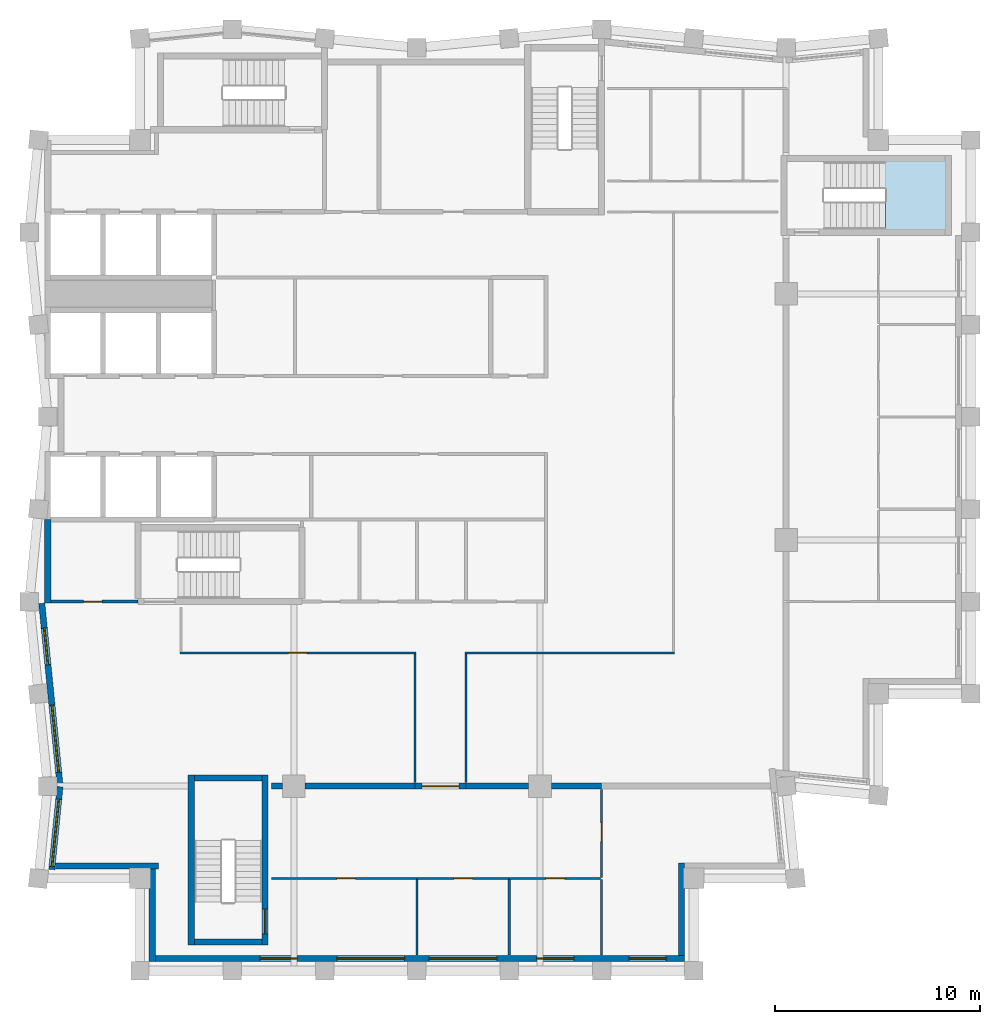
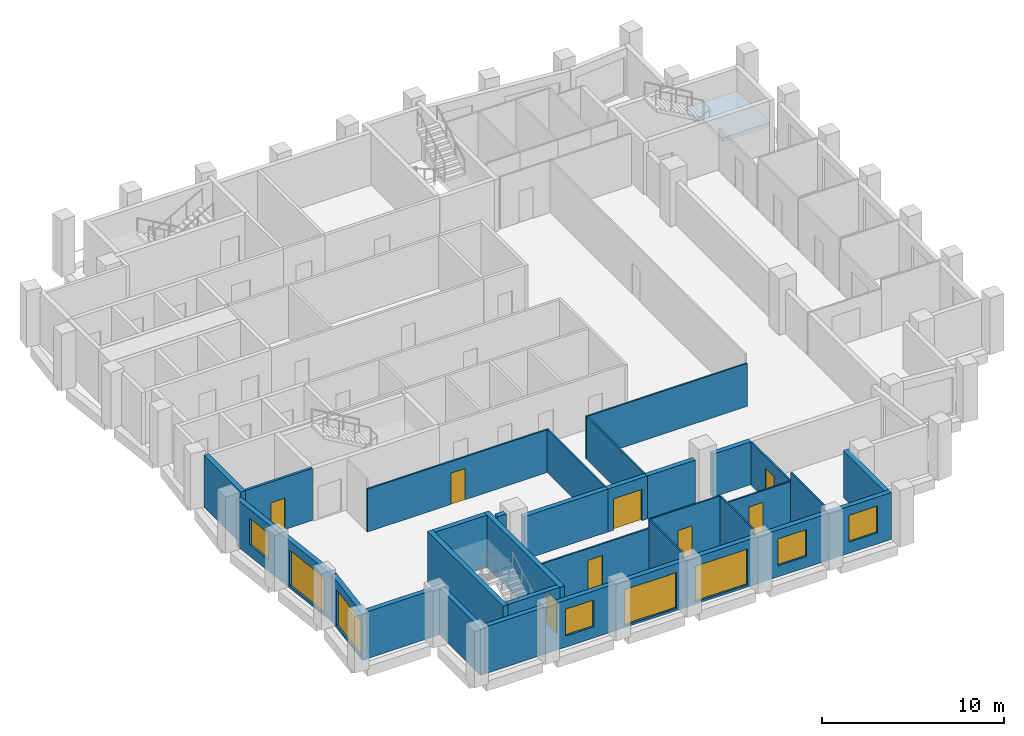
# One storey, part 2 of 7: 28 walls, 8 doors, 8 windows, 1 slab, 16 openings, 1 element without a shape of its own.
"""IFC4 building model written with IfcOpenShell, lengths in metres."""

from ifc_helpers import new_model, si_unit, direction, frame, frame_2d, origin, place, context, subcontext, project, spatial, polyline, rectangle, outline, extrude, material, layer, layer_set, type_object, element, fill, aggregate, save


model = new_model("IFC4")

# Units and contexts
model_context = context("Model", 3, precision=1e-05, world=origin(), true_north=direction((0.0, 1.0)))
body_context = subcontext(model_context, "Body", "Model", "MODEL_VIEW")
ifc_project = project(units=[si_unit("LENGTHUNIT", "METRE"), si_unit("AREAUNIT", "SQUARE_METRE"), si_unit("VOLUMEUNIT", "CUBIC_METRE"), si_unit("PLANEANGLEUNIT", "RADIAN"), si_unit("MASSUNIT", "GRAM", prefix="KILO")], contexts=[model_context])

# Site, building, storey
site_placement = place(None, origin())
site = spatial("IfcSite", under=ifc_project, at=site_placement, CompositionType="ELEMENT")
building_placement = place(site_placement, origin())
building = spatial("IfcBuilding", under=site, at=building_placement, Name="Brondeck Convention Tower", CompositionType="ELEMENT")
storey_placement = place(building_placement, frame((0.0, 0.0, 256.199951171875)))
storey = spatial("IfcBuildingStorey", under=building, at=storey_placement, Name="L63", CompositionType="ELEMENT", Elevation=256.199951171875)

# Stair, slab
ifc_material_1 = material(Name="Precast concrete C50/60", Category="concrete")
stair_type = type_object("IfcStairType", Name="Core stair 22 risers 172.73 mm riser 300 mm going 1350 wide", PredefinedType="HALF_TURN_STAIR", material=ifc_material_1)
stair_placement = place(storey_placement, origin())
stair = element("IfcStair", 1, at=stair_placement, inside=storey, type_object=stair_type, Name="ST-AE L63 stair", PredefinedType="HALF_TURN_STAIR")
ifc_layer_1 = layer(ifc_material_1, 0.25)
ifc_layer_set_1 = layer_set([ifc_layer_1], Name="Core stair landing 250 Precast concrete C50/60")
slab_type = type_object("IfcSlabType", Name="Core stair landing 250 Precast concrete C50/60", PredefinedType="LANDING", material=ifc_layer_set_1)
slab_placement = place(storey_placement, frame((0.0, 0.0, 1.650146484375)))
slab = element("IfcSlab", 2, at=slab_placement, type_object=slab_type, Name="ST-AE landing 1", PredefinedType="LANDING", context=body_context, shape_type="SweptSolid", body=[
    extrude(outline(polyline([(40.847900390625, 55.5), (40.85009765625, 55.5), (40.85009765625, 56.10009765625), (40.550048828125, 56.10009765625), (40.550048828125, 57.570068359375), (43.8701171875, 57.570068359375), (43.8701171875, 54.030029296875), (40.847900390625, 54.030029296875), (40.847900390625, 55.5)])), origin(), (0.0, 0.0, 1.0), 0.25),
])
aggregate(stair, [slab])

# Walls
ifc_material_2 = material(Name="Concrete compartment wall C30/37", Category="concrete")
ifc_layer_2 = layer(ifc_material_2, 0.300048828125)
ifc_layer_set_2 = layer_set([ifc_layer_2], Name="Compartment wall 300")
wall_type_1 = type_object("IfcWallType", Name="Compartment wall 300", PredefinedType="PARTITIONING", material=ifc_layer_set_2)
wall_1_placement = place(storey_placement, frame((10.89990234375, 27.0, 0.0), z_axis=(0.0, 0.0, 1.0), x_axis=(1.0, 0.0, 0.0)))
element("IfcWall", 3, at=wall_1_placement, inside=storey, type_object=wall_type_1, Name="FLR-L63-W013", PredefinedType="PARTITIONING", context=body_context, shape_type="SweptSolid", body=[
    extrude(rectangle(XDim=0.545166015625, YDim=0.300048828125, at=frame_2d((0.2724609375, 0.0))), origin(), (0.0, 0.0, 1.0), 3.47998046875),
])
wall_2_placement = place(storey_placement, frame((12.554931640625, 27.0, 0.0), z_axis=(0.0, 0.0, 1.0), x_axis=(1.0, 0.0, 0.0)))
element("IfcWall", 4, at=wall_2_placement, inside=storey, type_object=wall_type_1, Name="FLR-L63-W014", PredefinedType="PARTITIONING", context=body_context, shape_type="SweptSolid", body=[
    extrude(rectangle(XDim=5.344970703125, YDim=0.300048828125, at=frame_2d((2.67236328125, 0.0))), origin(), (0.0, 0.0, 1.0), 2.880126953125),
])

# Wall, opening, door
wall_3_placement = place(storey_placement, frame((20.39990234375, 27.0, 0.0), z_axis=(0.0, 0.0, 1.0), x_axis=(-1.0, 0.0, 0.0)))
wall_3 = element("IfcWall", 5, at=wall_3_placement, inside=storey, type_object=wall_type_1, Name="FLR-L63-W015", PredefinedType="PARTITIONING", context=body_context, shape_type="SweptSolid", body=[
    extrude(rectangle(XDim=2.5, YDim=0.300048828125, at=frame_2d((1.25, 0.0))), origin(), (0.0, 0.0, 1.0), 2.880126953125),
])
opening_1_placement = place(wall_3_placement, frame((0.35009765625, 0.0, 0.0)))
opening_1 = element("IfcOpeningElement", 6, at=opening_1_placement, cuts=wall_3, Name="Opening EX-A2-017", PredefinedType="OPENING", context=body_context, shape_type="SweptSolid", body=[
    extrude(rectangle(XDim=1.800048828125, YDim=2.10009765625, at=frame_2d((0.89990234375, 1.050048828125))), frame((0.0, 0.159912109375, 0.0), z_axis=(0.0, -1.0, 0.0), x_axis=(1.0, 0.0, 0.0)), (0.0, 0.0, 1.0), 0.320068359375),
])
ifc_material_3 = material(Name="Steel fire door pair", Category="steel")
door_type_1 = type_object("IfcDoorType", Name="Fire door pair 1800", OperationType="DOUBLE_DOOR_SINGLE_SWING", PredefinedType="DOOR", material=ifc_material_3)
door_1_placement = place(opening_1_placement, origin())
door_1 = element("IfcDoor", 7, at=door_1_placement, inside=storey, type_object=door_type_1, Name="Door EX-A2-017", OperationType="DOUBLE_DOOR_SINGLE_SWING", OverallHeight=2.10009765625, OverallWidth=1.800048828125, PredefinedType="DOOR", context=body_context, shape_type="SweptSolid", body=[
    extrude(rectangle(XDim=1.800048828125, YDim=2.10009765625, at=frame_2d((0.89990234375, 1.050048828125))), frame((0.0, 0.02490234375, 0.0), z_axis=(0.0, -1.0, 0.0), x_axis=(1.0, 0.0, 0.0)), (0.0, 0.0, 1.0), 0.050048828125),
])
fill(opening_1, door_1)

# Walls
wall_4_placement = place(storey_placement, frame((20.39990234375, 27.0, 0.0), z_axis=(0.0, 0.0, 1.0), x_axis=(1.0, 0.0, 0.0)))
element("IfcWall", 8, at=wall_4_placement, inside=storey, type_object=wall_type_1, Name="FLR-L63-W016", PredefinedType="PARTITIONING", context=body_context, shape_type="SweptSolid", body=[
    extrude(rectangle(XDim=3.045166015625, YDim=0.300048828125, at=frame_2d((1.5224609375, 0.0))), origin(), (0.0, 0.0, 1.0), 2.880126953125),
])
wall_5_placement = place(storey_placement, frame((24.554931640625, 27.0, 0.0), z_axis=(0.0, 0.0, 1.0), x_axis=(1.0, 0.0, 0.0)))
element("IfcWall", 9, at=wall_5_placement, inside=storey, type_object=wall_type_1, Name="FLR-L63-W017", PredefinedType="PARTITIONING", context=body_context, shape_type="SweptSolid", body=[
    extrude(rectangle(XDim=2.445068359375, YDim=0.300048828125, at=frame_2d((1.22265625, 0.0))), origin(), (0.0, 0.0, 1.0), 2.880126953125),
])
ifc_material_4 = material(Name="Concrete C50/60", Category="concrete")
ifc_layer_3 = layer(ifc_material_4, 0.300048828125)
ifc_layer_set_3 = layer_set([ifc_layer_3], Name="Core outer wall 300 Concrete C50/60")
wall_type_2 = type_object("IfcWallType", Name="Core outer wall 300 Concrete C50/60", PredefinedType="SHEAR", material=ifc_layer_set_3)
wall_6_placement = place(storey_placement, frame((0.0, 35.925048828125, 0.0), z_axis=(0.0, 0.0, 1.0), x_axis=(0.0, 1.0, 0.0)))
element("IfcWall", 10, at=wall_6_placement, inside=storey, type_object=wall_type_2, Name="L63 core wall", PredefinedType="SHEAR", context=body_context, shape_type="SweptSolid", body=[
    extrude(rectangle(XDim=4.074951171875, YDim=0.300048828125, at=frame_2d((2.03759765625, 0.0))), origin(), (0.0, 0.0, 1.0), 3.5),
])

# Wall, opening, door
ifc_material_5 = material(Name="Fire-rated gypsum board partition")
ifc_layer_4 = layer(ifc_material_5, 0.14990234375)
ifc_layer_set_4 = layer_set([ifc_layer_4], Name="Core partition 150 EI 60")
wall_type_3 = type_object("IfcWallType", Name="Core partition 150 EI 60", PredefinedType="PARTITIONING", material=ifc_layer_set_4)
wall_7_placement = place(storey_placement, frame((0.14990234375, 36.0, 0.0), z_axis=(0.0, 0.0, 1.0), x_axis=(1.0, 0.0, 0.0)))
wall_7 = element("IfcWall", 11, at=wall_7_placement, inside=storey, type_object=wall_type_3, Name="L63 core wall", PredefinedType="PARTITIONING", context=body_context, shape_type="SweptSolid", body=[
    extrude(rectangle(XDim=4.25, YDim=0.14990234375, at=frame_2d((2.125, 0.0))), origin(), (0.0, 0.0, 1.0), 3.5),
])
opening_2_placement = place(wall_7_placement, frame((1.60009765625, 0.0, 0.0)))
opening_2 = element("IfcOpeningElement", 12, at=opening_2_placement, cuts=wall_7, Name="Opening C35-07", PredefinedType="OPENING", context=body_context, shape_type="SweptSolid", body=[
    extrude(rectangle(XDim=0.89990234375, YDim=2.10009765625, at=frame_2d((0.449951171875, 1.050048828125))), frame((0.0, 0.0849609375, 0.0), z_axis=(0.0, -1.0, 0.0), x_axis=(1.0, 0.0, 0.0)), (0.0, 0.0, 1.0), 0.169921875),
])
ifc_material_6 = material(Name="Steel fire door", Category="steel")
door_type_2 = type_object("IfcDoorType", Name="Room door 900x2100 EI 60", OperationType="NOTDEFINED", PredefinedType="DOOR", material=ifc_material_6)
door_2_placement = place(opening_2_placement, origin())
door_2 = element("IfcDoor", 13, at=door_2_placement, inside=storey, type_object=door_type_2, Name="L63 Room door FRW-1", OperationType="SINGLE_SWING_LEFT", OverallHeight=2.10009765625, OverallWidth=0.89990234375, PredefinedType="DOOR", context=body_context, shape_type="SweptSolid", body=[
    extrude(rectangle(XDim=0.89990234375, YDim=2.10009765625, at=frame_2d((0.449951171875, 1.050048828125))), frame((0.0, 0.02490234375, 0.0), z_axis=(0.0, -1.0, 0.0), x_axis=(1.0, 0.0, 0.0)), (0.0, 0.0, 1.0), 0.050048828125),
])
fill(opening_2, door_2)

# Wall, openings, windows
ifc_material_7 = material(Name="Precast concrete C50/60 bronze finish", Category="concrete")
ifc_layer_5 = layer(ifc_material_7, 0.070068359375, Name="Bronze precast facing")
ifc_material_8 = material(Name="Mineral wool")
ifc_layer_6 = layer(ifc_material_8, 0.159912109375, Name="Insulation")
ifc_material_9 = material(Name="Concrete C35/45", Category="concrete")
ifc_layer_7 = layer(ifc_material_9, 0.070068359375, Name="Backing")
ifc_layer_set_5 = layer_set([ifc_layer_5, ifc_layer_6, ifc_layer_7], Name="External infill wall, precast concrete C50/60 bronze facing")
wall_type_4 = type_object("IfcWallType", Name="External infill wall, precast concrete C50/60 bronze facing", PredefinedType="SOLIDWALL", material=ifc_layer_set_5)
wall_8_placement = place(storey_placement, frame((31.050048828125, 18.60009765625, 0.0), z_axis=(0.0, 0.0, 1.0), x_axis=(-1.0, 0.0, 0.0)))
wall_8 = element("IfcWall", 14, at=wall_8_placement, inside=storey, type_object=wall_type_4, Name="ENV-EW-L63-P3-B-S18-01", PredefinedType="SOLIDWALL", context=body_context, shape_type="SweptSolid", body=[
    extrude(rectangle(XDim=25.800048828125, YDim=0.300048828125, at=frame_2d((12.89990234375, 0.0))), origin(), (0.0, 0.0, 1.0), 3.150146484375),
])
opening_3_placement = place(wall_8_placement, frame((0.89990234375, 0.0, 0.75)))
opening_3 = element("IfcOpeningElement", 15, at=opening_3_placement, cuts=wall_8, Name="Opening W10", PredefinedType="OPENING", context=body_context, shape_type="SweptSolid", body=[
    extrude(rectangle(XDim=1.800048828125, YDim=1.800048828125, at=frame_2d((0.89990234375, 0.89990234375))), frame((0.0, 0.159912109375, 0.0), z_axis=(0.0, -1.0, 0.0), x_axis=(1.0, 0.0, 0.0)), (0.0, 0.0, 1.0), 0.320068359375),
])
opening_4_placement = place(wall_8_placement, frame((5.39990234375, 0.0, 0.75)))
opening_4 = element("IfcOpeningElement", 16, at=opening_4_placement, cuts=wall_8, Name="Opening W10", PredefinedType="OPENING", context=body_context, shape_type="SweptSolid", body=[
    extrude(rectangle(XDim=1.800048828125, YDim=1.800048828125, at=frame_2d((0.89990234375, 0.89990234375))), frame((0.0, 0.159912109375, 0.0), z_axis=(0.0, -1.0, 0.0), x_axis=(1.0, 0.0, 0.0)), (0.0, 0.0, 1.0), 0.320068359375),
])
opening_5_placement = place(wall_8_placement, frame((9.14990234375, 0.0, 0.14990234375)))
opening_5 = element("IfcOpeningElement", 17, at=opening_5_placement, cuts=wall_8, Name="Opening W9", PredefinedType="OPENING", context=body_context, shape_type="SweptSolid", body=[
    extrude(rectangle(XDim=3.300048828125, YDim=2.39990234375, at=frame_2d((1.64990234375, 1.199951171875))), frame((0.0, 0.159912109375, 0.0), z_axis=(0.0, -1.0, 0.0), x_axis=(1.0, 0.0, 0.0)), (0.0, 0.0, 1.0), 0.320068359375),
])
opening_6_placement = place(wall_8_placement, frame((13.64990234375, 0.0, 0.14990234375)))
opening_6 = element("IfcOpeningElement", 18, at=opening_6_placement, cuts=wall_8, Name="Opening W9", PredefinedType="OPENING", context=body_context, shape_type="SweptSolid", body=[
    extrude(rectangle(XDim=3.300048828125, YDim=2.39990234375, at=frame_2d((1.64990234375, 1.199951171875))), frame((0.0, 0.159912109375, 0.0), z_axis=(0.0, -1.0, 0.0), x_axis=(1.0, 0.0, 0.0)), (0.0, 0.0, 1.0), 0.320068359375),
])
opening_7_placement = place(wall_8_placement, frame((18.89990234375, 0.0, 0.75)))
opening_7 = element("IfcOpeningElement", 19, at=opening_7_placement, cuts=wall_8, Name="Opening W10", PredefinedType="OPENING", context=body_context, shape_type="SweptSolid", body=[
    extrude(rectangle(XDim=1.800048828125, YDim=1.800048828125, at=frame_2d((0.89990234375, 0.89990234375))), frame((0.0, 0.159912109375, 0.0), z_axis=(0.0, -1.0, 0.0), x_axis=(1.0, 0.0, 0.0)), (0.0, 0.0, 1.0), 0.320068359375),
])
ifc_material_10 = material(Name="Bronze tinted double glazing", Category="glass")
window_type_1 = type_object("IfcWindowType", Name="Glazed flute window, bronze tinted", PartitioningType="SINGLE_PANEL", PredefinedType="WINDOW", material=ifc_material_10)
window_1_placement = place(opening_5_placement, origin())
window_1 = element("IfcWindow", 20, at=window_1_placement, inside=storey, type_object=window_type_1, Name="ENV-WN-L63-P3-B-S18-04", OverallHeight=2.39990234375, OverallWidth=3.300048828125, PartitioningType="SINGLE_PANEL", PredefinedType="WINDOW", context=body_context, shape_type="SweptSolid", body=[
    extrude(rectangle(XDim=3.300048828125, YDim=2.39990234375, at=frame_2d((1.64990234375, 1.199951171875))), frame((0.0, 0.030029296875, 0.0), z_axis=(0.0, -1.0, 0.0), x_axis=(1.0, 0.0, 0.0)), (0.0, 0.0, 1.0), 0.06005859375),
])
fill(opening_5, window_1)
window_2_placement = place(opening_6_placement, origin())
window_2 = element("IfcWindow", 21, at=window_2_placement, inside=storey, type_object=window_type_1, Name="ENV-WN-L63-P3-B-S18-03", OverallHeight=2.39990234375, OverallWidth=3.300048828125, PartitioningType="SINGLE_PANEL", PredefinedType="WINDOW", context=body_context, shape_type="SweptSolid", body=[
    extrude(rectangle(XDim=3.300048828125, YDim=2.39990234375, at=frame_2d((1.64990234375, 1.199951171875))), frame((0.0, 0.030029296875, 0.0), z_axis=(0.0, -1.0, 0.0), x_axis=(1.0, 0.0, 0.0)), (0.0, 0.0, 1.0), 0.06005859375),
])
fill(opening_6, window_2)
window_type_2 = type_object("IfcWindowType", Name="Punched window, bronze tinted", PartitioningType="SINGLE_PANEL", PredefinedType="WINDOW", material=ifc_material_10)
window_3_placement = place(opening_3_placement, origin())
window_3 = element("IfcWindow", 22, at=window_3_placement, inside=storey, type_object=window_type_2, Name="ENV-WN-L63-P3-B-S18-06", OverallHeight=1.800048828125, OverallWidth=1.800048828125, PartitioningType="SINGLE_PANEL", PredefinedType="WINDOW", context=body_context, shape_type="SweptSolid", body=[
    extrude(rectangle(XDim=1.800048828125, YDim=1.800048828125, at=frame_2d((0.89990234375, 0.89990234375))), frame((0.0, 0.030029296875, 0.0), z_axis=(0.0, -1.0, 0.0), x_axis=(1.0, 0.0, 0.0)), (0.0, 0.0, 1.0), 0.06005859375),
])
fill(opening_3, window_3)
window_4_placement = place(opening_4_placement, origin())
window_4 = element("IfcWindow", 23, at=window_4_placement, inside=storey, type_object=window_type_2, Name="ENV-WN-L63-P3-B-S18-05", OverallHeight=1.800048828125, OverallWidth=1.800048828125, PartitioningType="SINGLE_PANEL", PredefinedType="WINDOW", context=body_context, shape_type="SweptSolid", body=[
    extrude(rectangle(XDim=1.800048828125, YDim=1.800048828125, at=frame_2d((0.89990234375, 0.89990234375))), frame((0.0, 0.030029296875, 0.0), z_axis=(0.0, -1.0, 0.0), x_axis=(1.0, 0.0, 0.0)), (0.0, 0.0, 1.0), 0.06005859375),
])
fill(opening_4, window_4)
window_5_placement = place(opening_7_placement, origin())
window_5 = element("IfcWindow", 24, at=window_5_placement, inside=storey, type_object=window_type_2, Name="ENV-WN-L63-P3-B-S18-02", OverallHeight=1.800048828125, OverallWidth=1.800048828125, PartitioningType="SINGLE_PANEL", PredefinedType="WINDOW", context=body_context, shape_type="SweptSolid", body=[
    extrude(rectangle(XDim=1.800048828125, YDim=1.800048828125, at=frame_2d((0.89990234375, 0.89990234375))), frame((0.0, 0.030029296875, 0.0), z_axis=(0.0, -1.0, 0.0), x_axis=(1.0, 0.0, 0.0)), (0.0, 0.0, 1.0), 0.06005859375),
])
fill(opening_7, window_5)

# Wall
wall_9_placement = place(storey_placement, frame((30.89990234375, 23.25, 0.0), z_axis=(0.0, 0.0, 1.0), x_axis=(0.0, -1.0, 0.0)))
element("IfcWall", 25, at=wall_9_placement, inside=storey, type_object=wall_type_4, Name="ENV-EW-L63-P3-NC-SEB18-01", PredefinedType="SOLIDWALL", context=body_context, shape_type="SweptSolid", body=[
    extrude(rectangle(XDim=4.5, YDim=0.300048828125, at=frame_2d((2.25, 0.0))), origin(), (0.0, 0.0, 1.0), 3.150146484375),
])

# Wall, openings, windows
wall_10_placement = place(storey_placement, frame((0.6044921875, 26.985107421875, 0.0), z_axis=(0.0, 0.0, 1.0), x_axis=(-0.099509108728, 0.995036651225, 0.0)))
wall_10 = element("IfcWall", 26, at=wall_10_placement, inside=storey, type_object=wall_type_4, Name="ENV-EW-L63-P3-B-W-06", PredefinedType="SOLIDWALL", context=body_context, shape_type="SweptSolid", body=[
    extrude(rectangle(XDim=8.9697265625, YDim=0.300048828125, at=frame_2d((4.48486328125, 0.0))), origin(), (0.0, 0.0, 1.0), 3.150146484375),
])
opening_8_placement = place(wall_10_placement, frame((0.686279296875, 0.0, 0.14990234375)))
opening_8 = element("IfcOpeningElement", 27, at=opening_8_placement, cuts=wall_10, Name="Opening W9", PredefinedType="OPENING", context=body_context, shape_type="SweptSolid", body=[
    extrude(rectangle(XDim=3.300048828125, YDim=2.39990234375, at=frame_2d((1.64990234375, 1.199951171875))), frame((0.0, 0.159912109375, 0.0), z_axis=(0.0, -1.0, 0.0), x_axis=(1.0, 0.0, 0.0)), (0.0, 0.0, 1.0), 0.320068359375),
])
opening_9_placement = place(wall_10_placement, frame((5.95849609375, 0.0, 0.75)))
opening_9 = element("IfcOpeningElement", 28, at=opening_9_placement, cuts=wall_10, Name="Opening W10", PredefinedType="OPENING", context=body_context, shape_type="SweptSolid", body=[
    extrude(rectangle(XDim=1.800048828125, YDim=1.800048828125, at=frame_2d((0.89990234375, 0.89990234375))), frame((0.0, 0.159912109375, 0.0), z_axis=(0.0, -1.0, 0.0), x_axis=(1.0, 0.0, 0.0)), (0.0, 0.0, 1.0), 0.320068359375),
])
window_6_placement = place(opening_8_placement, origin())
window_6 = element("IfcWindow", 29, at=window_6_placement, inside=storey, type_object=window_type_1, Name="ENV-WN-L63-P3-B-W-07", OverallHeight=2.39990234375, OverallWidth=3.300048828125, PartitioningType="SINGLE_PANEL", PredefinedType="WINDOW", context=body_context, shape_type="SweptSolid", body=[
    extrude(rectangle(XDim=3.300048828125, YDim=2.39990234375, at=frame_2d((1.64990234375, 1.199951171875))), frame((0.0, 0.030029296875, 0.0), z_axis=(0.0, -1.0, 0.0), x_axis=(1.0, 0.0, 0.0)), (0.0, 0.0, 1.0), 0.06005859375),
])
fill(opening_8, window_6)
window_7_placement = place(opening_9_placement, origin())
window_7 = element("IfcWindow", 30, at=window_7_placement, inside=storey, type_object=window_type_2, Name="ENV-WN-L63-P3-B-W-06", OverallHeight=1.800048828125, OverallWidth=1.800048828125, PartitioningType="SINGLE_PANEL", PredefinedType="WINDOW", context=body_context, shape_type="SweptSolid", body=[
    extrude(rectangle(XDim=1.800048828125, YDim=1.800048828125, at=frame_2d((0.89990234375, 0.89990234375))), frame((0.0, 0.030029296875, 0.0), z_axis=(0.0, -1.0, 0.0), x_axis=(1.0, 0.0, 0.0)), (0.0, 0.0, 1.0), 0.06005859375),
])
fill(opening_9, window_7)

# Wall, opening, window
wall_11_placement = place(storey_placement, frame((0.196533203125, 22.93505859375, 0.0), z_axis=(0.0, 0.0, 1.0), x_axis=(0.09951564041, 0.995035997999, 0.0)))
wall_11 = element("IfcWall", 31, at=wall_11_placement, inside=storey, type_object=wall_type_4, Name="ENV-EW-L63-P3-B-W-08", PredefinedType="SOLIDWALL", context=body_context, shape_type="SweptSolid", body=[
    extrude(rectangle(XDim=4.05517578125, YDim=0.300048828125, at=frame_2d((2.027587890625, 0.0))), origin(), (0.0, 0.0, 1.0), 3.150146484375),
])
opening_10_placement = place(wall_11_placement, frame((0.14990234375, 0.0, 0.14990234375)))
opening_10 = element("IfcOpeningElement", 32, at=opening_10_placement, cuts=wall_11, Name="Opening W9", PredefinedType="OPENING", context=body_context, shape_type="SweptSolid", body=[
    extrude(rectangle(XDim=3.300048828125, YDim=2.39990234375, at=frame_2d((1.64990234375, 1.199951171875))), frame((0.0, 0.159912109375, 0.0), z_axis=(0.0, -1.0, 0.0), x_axis=(1.0, 0.0, 0.0)), (0.0, 0.0, 1.0), 0.320068359375),
])
window_8_placement = place(opening_10_placement, origin())
window_8 = element("IfcWindow", 33, at=window_8_placement, inside=storey, type_object=window_type_1, Name="ENV-WN-L63-P3-B-W-08", OverallHeight=2.39990234375, OverallWidth=3.300048828125, PartitioningType="SINGLE_PANEL", PredefinedType="WINDOW", context=body_context, shape_type="SweptSolid", body=[
    extrude(rectangle(XDim=3.300048828125, YDim=2.39990234375, at=frame_2d((1.64990234375, 1.199951171875))), frame((0.0, 0.030029296875, 0.0), z_axis=(0.0, -1.0, 0.0), x_axis=(1.0, 0.0, 0.0)), (0.0, 0.0, 1.0), 0.06005859375),
])
fill(opening_10, window_8)

# Walls
wall_12_placement = place(storey_placement, frame((5.39990234375, 23.10009765625, 0.0), z_axis=(0.0, 0.0, 1.0), x_axis=(-1.0, 0.0, 0.0)))
element("IfcWall", 34, at=wall_12_placement, inside=storey, type_object=wall_type_4, Name="ENV-EW-L63-P3-NC-SWB18-01", PredefinedType="SOLIDWALL", context=body_context, shape_type="SweptSolid", body=[
    extrude(rectangle(XDim=5.031005859375, YDim=0.300048828125, at=frame_2d((2.515625, 0.0))), origin(), (0.0, 0.0, 1.0), 3.150146484375),
])
wall_13_placement = place(storey_placement, frame((5.10009765625, 18.449951171875, 0.0), z_axis=(0.0, 0.0, 1.0), x_axis=(0.0, 1.0, 0.0)))
element("IfcWall", 35, at=wall_13_placement, inside=storey, type_object=wall_type_4, Name="ENV-EW-L63-P3-NC-SWB18-02", PredefinedType="SOLIDWALL", context=body_context, shape_type="SweptSolid", body=[
    extrude(rectangle(XDim=4.5, YDim=0.300048828125, at=frame_2d((2.25, 0.0))), origin(), (0.0, 0.0, 1.0), 3.150146484375),
])
ifc_material_11 = material(Name="Gypsum board partition on steel studs", Category="steel")
ifc_layer_8 = layer(ifc_material_11, 0.10009765625)
ifc_layer_set_6 = layer_set([ifc_layer_8], Name="Room partition 100")
wall_type_5 = type_object("IfcWallType", Name="Room partition 100", PredefinedType="PARTITIONING", material=ifc_layer_set_6)
for number, where, z_axis, x_axis, name in (
    (36, (18.0, 18.77001953125, 0.0), (0.0, 0.0, 1.0), (0.0, 1.0, 0.0), "FLR-L63-W001"),
    (37, (22.5, 18.77001953125, 0.0), (0.0, 0.0, 1.0), (0.0, 1.0, 0.0), "FLR-L63-W002"),
    (38, (27.0, 22.449951171875, 0.0), (0.0, 0.0, 1.0), (0.0, -1.0, 0.0), "FLR-L63-W005"),
):
    element("IfcWall", number, at=place(storey_placement, frame(where, z_axis=z_axis, x_axis=x_axis)), inside=storey, type_object=wall_type_5, Name=name, PredefinedType="PARTITIONING", context=body_context, shape_type="SweptSolid", body=[
        extrude(rectangle(XDim=3.679931640625, YDim=0.10009765625, at=frame_2d((1.83984375, 0.0))), origin(), (0.0, 0.0, 1.0), 3.47998046875),
    ])

# Wall, opening, door
wall_14_placement = place(storey_placement, frame((18.0, 22.5, 0.0), z_axis=(0.0, 0.0, 1.0), x_axis=(-1.0, 0.0, 0.0)))
wall_14 = element("IfcWall", 39, at=wall_14_placement, inside=storey, type_object=wall_type_5, Name="FLR-L63-W006", PredefinedType="PARTITIONING", context=body_context, shape_type="SweptSolid", body=[
    extrude(rectangle(XDim=7.10009765625, YDim=0.10009765625, at=frame_2d((3.550048828125, 0.0))), origin(), (0.0, 0.0, 1.0), 2.880126953125),
])
opening_11_placement = place(wall_14_placement, frame((3.0, 0.0, 0.0)))
opening_11 = element("IfcOpeningElement", 40, at=opening_11_placement, cuts=wall_14, Name="Opening EX-A2-008", PredefinedType="OPENING", context=body_context, shape_type="SweptSolid", body=[
    extrude(rectangle(XDim=0.89990234375, YDim=2.10009765625, at=frame_2d((0.449951171875, 1.050048828125))), frame((0.0, 0.06005859375, 0.0), z_axis=(0.0, -1.0, 0.0), x_axis=(1.0, 0.0, 0.0)), (0.0, 0.0, 1.0), 0.1201171875),
])
ifc_material_12 = material(Name="Solid timber door leaf", Category="wood")
door_type_3 = type_object("IfcDoorType", Name="Single door 900", OperationType="NOTDEFINED", PredefinedType="DOOR", material=ifc_material_12)
door_3_placement = place(opening_11_placement, origin())
door_3 = element("IfcDoor", 41, at=door_3_placement, inside=storey, type_object=door_type_3, Name="Door EX-A2-008", OperationType="SINGLE_SWING_LEFT", OverallHeight=2.10009765625, OverallWidth=0.89990234375, PredefinedType="DOOR", context=body_context, shape_type="SweptSolid", body=[
    extrude(rectangle(XDim=0.89990234375, YDim=2.10009765625, at=frame_2d((0.449951171875, 1.050048828125))), frame((0.0, 0.02490234375, 0.0), z_axis=(0.0, -1.0, 0.0), x_axis=(1.0, 0.0, 0.0)), (0.0, 0.0, 1.0), 0.050048828125),
])
fill(opening_11, door_3)

wall_15_placement = place(storey_placement, frame((22.5, 22.5, 0.0), z_axis=(0.0, 0.0, 1.0), x_axis=(-1.0, 0.0, 0.0)))
wall_15 = element("IfcWall", 42, at=wall_15_placement, inside=storey, type_object=wall_type_5, Name="FLR-L63-W007", PredefinedType="PARTITIONING", context=body_context, shape_type="SweptSolid", body=[
    extrude(rectangle(XDim=4.5, YDim=0.10009765625, at=frame_2d((2.25, 0.0))), origin(), (0.0, 0.0, 1.0), 3.47998046875),
])
opening_12_placement = place(wall_15_placement, frame((1.800048828125, 0.0, 0.0)))
opening_12 = element("IfcOpeningElement", 43, at=opening_12_placement, cuts=wall_15, Name="Opening EX-A2-007", PredefinedType="OPENING", context=body_context, shape_type="SweptSolid", body=[
    extrude(rectangle(XDim=0.89990234375, YDim=2.10009765625, at=frame_2d((0.449951171875, 1.050048828125))), frame((0.0, 0.06005859375, 0.0), z_axis=(0.0, -1.0, 0.0), x_axis=(1.0, 0.0, 0.0)), (0.0, 0.0, 1.0), 0.1201171875),
])
door_4_placement = place(opening_12_placement, origin())
door_4 = element("IfcDoor", 44, at=door_4_placement, inside=storey, type_object=door_type_3, Name="Door EX-A2-007", OperationType="SINGLE_SWING_LEFT", OverallHeight=2.10009765625, OverallWidth=0.89990234375, PredefinedType="DOOR", context=body_context, shape_type="SweptSolid", body=[
    extrude(rectangle(XDim=0.89990234375, YDim=2.10009765625, at=frame_2d((0.449951171875, 1.050048828125))), frame((0.0, 0.02490234375, 0.0), z_axis=(0.0, -1.0, 0.0), x_axis=(1.0, 0.0, 0.0)), (0.0, 0.0, 1.0), 0.050048828125),
])
fill(opening_12, door_4)

wall_16_placement = place(storey_placement, frame((26.949951171875, 22.5, 0.0), z_axis=(0.0, 0.0, 1.0), x_axis=(-1.0, 0.0, 0.0)))
wall_16 = element("IfcWall", 45, at=wall_16_placement, inside=storey, type_object=wall_type_5, Name="FLR-L63-W008", PredefinedType="PARTITIONING", context=body_context, shape_type="SweptSolid", body=[
    extrude(rectangle(XDim=4.449951171875, YDim=0.10009765625, at=frame_2d((2.22509765625, 0.0))), origin(), (0.0, 0.0, 1.0), 2.880126953125),
])
opening_13_placement = place(wall_16_placement, frame((1.75, 0.0, 0.0)))
opening_13 = element("IfcOpeningElement", 46, at=opening_13_placement, cuts=wall_16, Name="Opening EX-A2-006", PredefinedType="OPENING", context=body_context, shape_type="SweptSolid", body=[
    extrude(rectangle(XDim=0.89990234375, YDim=2.10009765625, at=frame_2d((0.449951171875, 1.050048828125))), frame((0.0, 0.06005859375, 0.0), z_axis=(0.0, -1.0, 0.0), x_axis=(1.0, 0.0, 0.0)), (0.0, 0.0, 1.0), 0.1201171875),
])
door_5_placement = place(opening_13_placement, origin())
door_5 = element("IfcDoor", 47, at=door_5_placement, inside=storey, type_object=door_type_3, Name="Door EX-A2-006", OperationType="SINGLE_SWING_LEFT", OverallHeight=2.10009765625, OverallWidth=0.89990234375, PredefinedType="DOOR", context=body_context, shape_type="SweptSolid", body=[
    extrude(rectangle(XDim=0.89990234375, YDim=2.10009765625, at=frame_2d((0.449951171875, 1.050048828125))), frame((0.0, 0.02490234375, 0.0), z_axis=(0.0, -1.0, 0.0), x_axis=(1.0, 0.0, 0.0)), (0.0, 0.0, 1.0), 0.050048828125),
])
fill(opening_13, door_5)

wall_17_placement = place(storey_placement, frame((27.0, 26.830078125, 0.0), z_axis=(0.0, 0.0, 1.0), x_axis=(0.0, -1.0, 0.0)))
wall_17 = element("IfcWall", 48, at=wall_17_placement, inside=storey, type_object=wall_type_5, Name="FLR-L63-W011", PredefinedType="PARTITIONING", context=body_context, shape_type="SweptSolid", body=[
    extrude(rectangle(XDim=4.280029296875, YDim=0.10009765625, at=frame_2d((2.14013671875, 0.0))), origin(), (0.0, 0.0, 1.0), 2.880126953125),
])
opening_14_placement = place(wall_17_placement, frame((1.6298828125, 0.0, 0.0)))
opening_14 = element("IfcOpeningElement", 49, at=opening_14_placement, cuts=wall_17, Name="Opening EX-A2-009", PredefinedType="OPENING", context=body_context, shape_type="SweptSolid", body=[
    extrude(rectangle(XDim=0.89990234375, YDim=2.10009765625, at=frame_2d((0.449951171875, 1.050048828125))), frame((0.0, 0.06005859375, 0.0), z_axis=(0.0, -1.0, 0.0), x_axis=(1.0, 0.0, 0.0)), (0.0, 0.0, 1.0), 0.1201171875),
])
door_6_placement = place(opening_14_placement, origin())
door_6 = element("IfcDoor", 50, at=door_6_placement, inside=storey, type_object=door_type_3, Name="Door EX-A2-009", OperationType="SINGLE_SWING_LEFT", OverallHeight=2.10009765625, OverallWidth=0.89990234375, PredefinedType="DOOR", context=body_context, shape_type="SweptSolid", body=[
    extrude(rectangle(XDim=0.89990234375, YDim=2.10009765625, at=frame_2d((0.449951171875, 1.050048828125))), frame((0.0, 0.02490234375, 0.0), z_axis=(0.0, -1.0, 0.0), x_axis=(1.0, 0.0, 0.0)), (0.0, 0.0, 1.0), 0.050048828125),
])
fill(opening_14, door_6)

# Walls
for number, where, z_axis, x_axis, name in (
    (51, (17.89990234375, 27.169921875, 0.0), (0.0, 0.0, 1.0), (0.0, 1.0, 0.0), "FLR-L63-W019"),
    (52, (20.39990234375, 33.449951171875, 0.0), (0.0, 0.0, 1.0), (0.0, -1.0, 0.0), "FLR-L63-W023"),
):
    element("IfcWall", number, at=place(storey_placement, frame(where, z_axis=z_axis, x_axis=x_axis)), inside=storey, type_object=wall_type_5, Name=name, PredefinedType="PARTITIONING", context=body_context, shape_type="SweptSolid", body=[
        extrude(rectangle(XDim=6.280029296875, YDim=0.10009765625, at=frame_2d((3.14013671875, 0.0))), origin(), (0.0, 0.0, 1.0), 2.880126953125),
    ])

# Wall, opening, door
wall_18_placement = place(storey_placement, frame((17.949951171875, 33.5, 0.0), z_axis=(0.0, 0.0, 1.0), x_axis=(-1.0, 0.0, 0.0)))
wall_18 = element("IfcWall", 53, at=wall_18_placement, inside=storey, type_object=wall_type_5, Name="FLR-L63-W024", PredefinedType="PARTITIONING", context=body_context, shape_type="SweptSolid", body=[
    extrude(rectangle(XDim=11.5, YDim=0.10009765625, at=frame_2d((5.75, 0.0))), origin(), (0.0, 0.0, 1.0), 2.880126953125),
])
opening_15_placement = place(wall_18_placement, frame((5.300048828125, 0.0, 0.0)))
opening_15 = element("IfcOpeningElement", 54, at=opening_15_placement, cuts=wall_18, Name="Opening EX-A2-015", PredefinedType="OPENING", context=body_context, shape_type="SweptSolid", body=[
    extrude(rectangle(XDim=0.89990234375, YDim=2.10009765625, at=frame_2d((0.449951171875, 1.050048828125))), frame((0.0, 0.06005859375, 0.0), z_axis=(0.0, -1.0, 0.0), x_axis=(1.0, 0.0, 0.0)), (0.0, 0.0, 1.0), 0.1201171875),
])
door_7_placement = place(opening_15_placement, origin())
door_7 = element("IfcDoor", 55, at=door_7_placement, inside=storey, type_object=door_type_3, Name="Door EX-A2-015", OperationType="SINGLE_SWING_LEFT", OverallHeight=2.10009765625, OverallWidth=0.89990234375, PredefinedType="DOOR", context=body_context, shape_type="SweptSolid", body=[
    extrude(rectangle(XDim=0.89990234375, YDim=2.10009765625, at=frame_2d((0.449951171875, 1.050048828125))), frame((0.0, 0.02490234375, 0.0), z_axis=(0.0, -1.0, 0.0), x_axis=(1.0, 0.0, 0.0)), (0.0, 0.0, 1.0), 0.050048828125),
])
fill(opening_15, door_7)

# Walls
wall_19_placement = place(storey_placement, frame((30.550048828125, 33.5, 0.0), z_axis=(0.0, 0.0, 1.0), x_axis=(-1.0, 0.0, 0.0)))
element("IfcWall", 56, at=wall_19_placement, inside=storey, type_object=wall_type_5, Name="FLR-L63-W025", PredefinedType="PARTITIONING", context=body_context, shape_type="SweptSolid", body=[
    extrude(rectangle(XDim=10.199951171875, YDim=0.10009765625, at=frame_2d((5.10009765625, 0.0))), origin(), (0.0, 0.0, 1.0), 2.880126953125),
])
ifc_layer_9 = layer(ifc_material_4, 0.300048828125)
ifc_layer_set_7 = layer_set([ifc_layer_9], Name="Stair enclosure wall 300 Concrete C50/60")
wall_type_6 = type_object("IfcWallType", Name="Stair enclosure wall 300 Concrete C50/60", PredefinedType="SHEAR", material=ifc_layer_set_7)
for number, where, z_axis, x_axis, name in (
    (57, (7.14990234375, 19.39990234375, 0.0), (0.0, 0.0, 1.0), (1.0, 0.0, 0.0), "L63 core wall"),
    (58, (7.14990234375, 27.39990234375, 0.0), (0.0, 0.0, 1.0), (1.0, 0.0, 0.0), "L63 core wall"),
):
    element("IfcWall", number, at=place(storey_placement, frame(where, z_axis=z_axis, x_axis=x_axis)), inside=storey, type_object=wall_type_6, Name=name, PredefinedType="SHEAR", context=body_context, shape_type="SweptSolid", body=[
        extrude(rectangle(XDim=3.300048828125, YDim=0.300048828125, at=frame_2d((1.64990234375, 0.0))), origin(), (0.0, 0.0, 1.0), 3.5),
    ])
wall_20_placement = place(storey_placement, frame((7.0, 19.25, 0.0), z_axis=(0.0, 0.0, 1.0), x_axis=(0.0, 1.0, 0.0)))
element("IfcWall", 59, at=wall_20_placement, inside=storey, type_object=wall_type_6, Name="L63 core wall", PredefinedType="SHEAR", context=body_context, shape_type="SweptSolid", body=[
    extrude(rectangle(XDim=8.300048828125, YDim=0.300048828125, at=frame_2d((4.14990234375, 0.0))), origin(), (0.0, 0.0, 1.0), 3.5),
])

# Wall, opening, door
wall_21_placement = place(storey_placement, frame((10.60009765625, 19.25, 0.0), z_axis=(0.0, 0.0, 1.0), x_axis=(0.0, 1.0, 0.0)))
wall_21 = element("IfcWall", 60, at=wall_21_placement, inside=storey, type_object=wall_type_6, Name="L63 core wall", PredefinedType="SHEAR", context=body_context, shape_type="SweptSolid", body=[
    extrude(rectangle(XDim=8.300048828125, YDim=0.300048828125, at=frame_2d((4.14990234375, 0.0))), origin(), (0.0, 0.0, 1.0), 3.5),
])
opening_16_placement = place(wall_21_placement, frame((0.550048828125, 0.0, 0.0)))
opening_16 = element("IfcOpeningElement", 61, at=opening_16_placement, cuts=wall_21, Name="Opening C35-18", PredefinedType="OPENING", context=body_context, shape_type="SweptSolid", body=[
    extrude(rectangle(XDim=1.199951171875, YDim=2.199951171875, at=frame_2d((0.60009765625, 1.10009765625))), frame((0.0, 0.159912109375, 0.0), z_axis=(0.0, -1.0, 0.0), x_axis=(1.0, 0.0, 0.0)), (0.0, 0.0, 1.0), 0.320068359375),
])
door_type_4 = type_object("IfcDoorType", Name="Stair door 1200x2200 EI 90", OperationType="NOTDEFINED", PredefinedType="DOOR", material=ifc_material_6)
door_8_placement = place(opening_16_placement, origin())
door_8 = element("IfcDoor", 62, at=door_8_placement, inside=storey, type_object=door_type_4, Name="L63 Stair door ST-BE", OperationType="SINGLE_SWING_RIGHT", OverallHeight=2.199951171875, OverallWidth=1.199951171875, PredefinedType="DOOR", context=body_context, shape_type="SweptSolid", body=[
    extrude(rectangle(XDim=1.199951171875, YDim=2.199951171875, at=frame_2d((0.60009765625, 1.10009765625))), frame((0.0, 0.02490234375, 0.0), z_axis=(0.0, -1.0, 0.0), x_axis=(1.0, 0.0, 0.0)), (0.0, 0.0, 1.0), 0.050048828125),
])
fill(opening_16, door_8)

save(model, "model.ifc")
